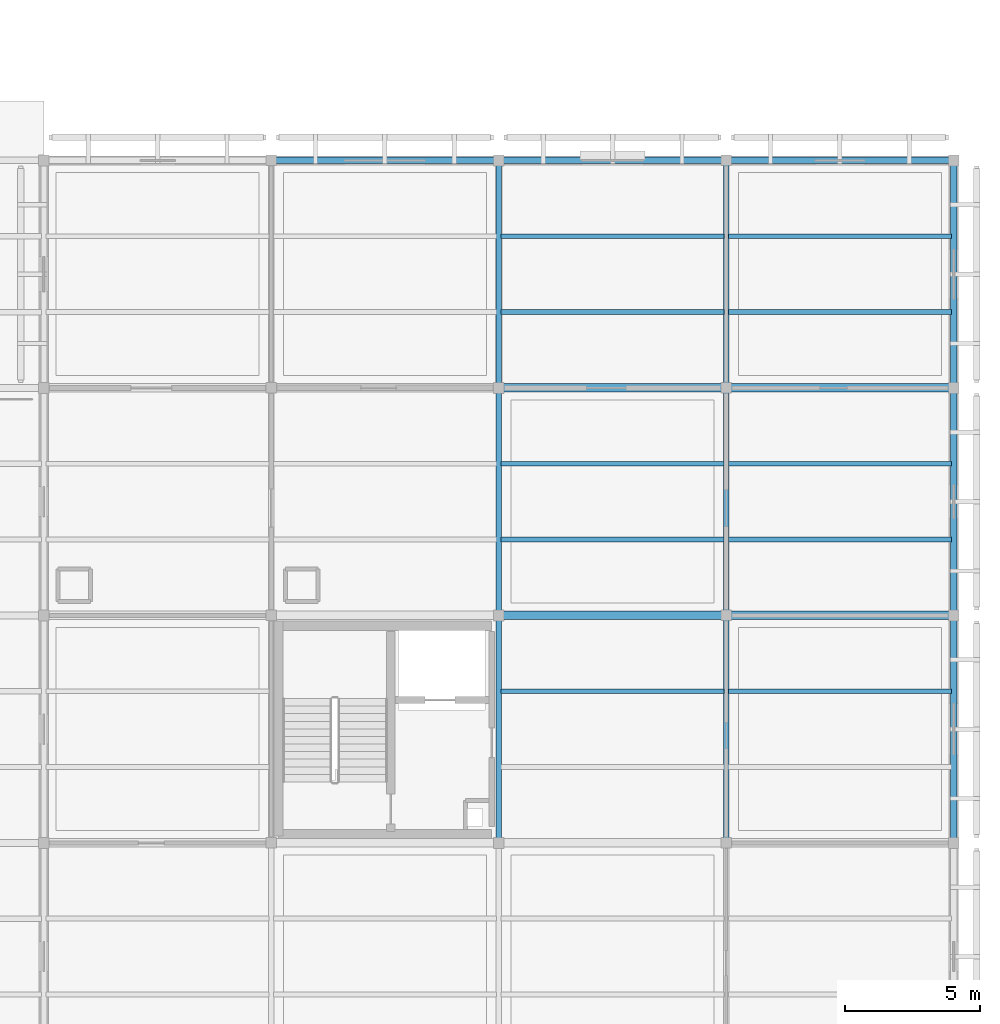
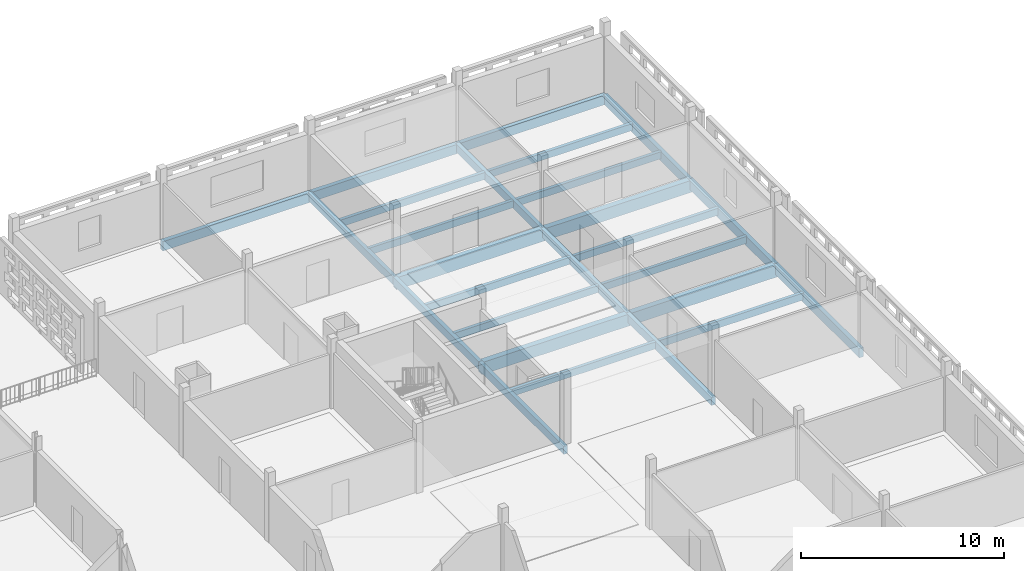
# One storey, part 69 of 140: 26 beams.
"""IFC4 building model written with IfcOpenShell, lengths in metres."""

import ifcopenshell
import ifcopenshell.guid

model = None  # the IFC model being written
_history = None  # IfcOwnerHistory: only IFC2X3 demands one
_inside = {}  # id of a spatial element -> (the spatial element, [elements in it])
_under = {}  # id of a project, library or spatial element -> (it, [spatial elements below it])
_declared = {}  # id of a project -> (the project, [libraries it declares])
_typed = {}  # id of a type object -> (the type object, [elements of that type])
_made_of = {}  # id of a material, layer set ... -> (it, [elements and type objects made of it])


def new_model(schema):
    """Start an empty IFC model of exactly this schema.

    Asked for "IFC4X3", IfcOpenShell would pick the latest addendum, in which some entities
    have other attributes; the version numbers below select the first issue.
    IFC2X3 requires an IfcOwnerHistory on every rooted entity: one is made here for all.
    """
    global model, _history
    if schema == "IFC4X3":
        model = ifcopenshell.file(schema_version=(4, 3, 0, 0))
    else:
        model = ifcopenshell.file(schema=schema)
    _inside.clear()
    _under.clear()
    _declared.clear()
    _typed.clear()
    _made_of.clear()
    _history = None
    if model.schema == "IFC2X3":
        org = make("IfcOrganization", Name="unknown")
        user = make(
            "IfcPersonAndOrganization",
            ThePerson=make("IfcPerson", FamilyName="unknown"),
            TheOrganization=org,
        )
        app = make(
            "IfcApplication",
            ApplicationDeveloper=org,
            Version="unknown",
            ApplicationFullName="unknown",
            ApplicationIdentifier="unknown",
        )
        _history = make(
            "IfcOwnerHistory",
            OwningUser=user,
            OwningApplication=app,
            ChangeAction="ADDED",
            CreationDate=0,
        )
    return model


def make(cls, **values):
    """One entity of the class cls with the attributes given. An attribute that is None is left unset."""
    return model.create_entity(
        cls, **{name: value for name, value in values.items() if value is not None}
    )


def rooted(cls, **values):
    """An entity with a GlobalId (a new one), such as an element, a storey or a relation."""
    return make(cls, GlobalId=ifcopenshell.guid.new(), OwnerHistory=_history, **values)


def si_unit(unit_type, name, prefix=None):
    """IfcSIUnit, for example si_unit("LENGTHUNIT", "METRE", prefix="MILLI")."""
    return make("IfcSIUnit", UnitType=unit_type, Prefix=prefix, Name=name)


def assignment(units):
    """IfcUnitAssignment: the units of a project."""
    return None if units is None else make("IfcUnitAssignment", Units=units)


def point(xyz):
    """IfcCartesianPoint."""
    return None if xyz is None else make("IfcCartesianPoint", Coordinates=xyz)


def direction(xyz):
    """IfcDirection."""
    return None if xyz is None else make("IfcDirection", DirectionRatios=xyz)


def frame(location, z_axis=None, x_axis=None):
    """IfcAxis2Placement3D, a coordinate frame: its origin and axes. An axis left out is left unset."""
    return make(
        "IfcAxis2Placement3D",
        Location=point(location),
        Axis=direction(z_axis),
        RefDirection=direction(x_axis),
    )


def frame_2d(location, x_axis=None):
    """IfcAxis2Placement2D, a coordinate frame in the plane: its origin and x axis."""
    return make(
        "IfcAxis2Placement2D", Location=point(location), RefDirection=direction(x_axis)
    )


def origin():
    """The frame at (0, 0, 0) with its axes left unset."""
    return frame((0.0, 0.0, 0.0))


def origin_2d():
    """The frame at (0, 0) in the plane with its x axis left unset."""
    return frame_2d((0.0, 0.0))


def place(relative_to, where):
    """IfcLocalPlacement: puts the frame where relative to a parent placement (None: the world)."""
    return make(
        "IfcLocalPlacement", PlacementRelTo=relative_to, RelativePlacement=where
    )


def context(
    kind, dimensions, precision=None, world=None, true_north=None, identifier=None
):
    """IfcGeometricRepresentationContext, for example the 3D "Model" context."""
    return make(
        "IfcGeometricRepresentationContext",
        ContextIdentifier=identifier,
        ContextType=kind,
        CoordinateSpaceDimension=dimensions,
        Precision=precision,
        WorldCoordinateSystem=world,
        TrueNorth=true_north,
    )


def subcontext(parent, identifier, kind, view, scale=None):
    """IfcGeometricRepresentationSubContext, for example "Body" below "Model"."""
    return make(
        "IfcGeometricRepresentationSubContext",
        ContextIdentifier=identifier,
        ContextType=kind,
        ParentContext=parent,
        TargetScale=scale,
        TargetView=view,
    )


def project(units=None, contexts=None):
    """IfcProject with its units and contexts."""
    return rooted(
        "IfcProject",
        Name="project",
        RepresentationContexts=contexts,
        UnitsInContext=assignment(units),
    )


def spatial(cls, under=None, at=None, **own):
    """A site, building, storey or space (cls), placed at a placement, below another one or the project."""
    s = rooted(cls, ObjectPlacement=at, **own)
    if under is not None:
        _under.setdefault(under.id(), (under, []))[1].append(s)
    return s


def profile(cls, at=None, kind="AREA", **sizes):
    """A parametric profile (cls). Its sizes go by their IFC names, for example OverallWidth=200.0."""
    return make(cls, ProfileType=kind, Position=at, **sizes)


def rectangle(**sizes):
    """IfcRectangleProfileDef."""
    return profile("IfcRectangleProfileDef", **sizes)


def extrude(swept, where, along, depth):
    """IfcExtrudedAreaSolid: the profile swept, set in the frame where, extruded along a direction by depth."""
    return make(
        "IfcExtrudedAreaSolid",
        SweptArea=swept,
        Position=where,
        ExtrudedDirection=direction(along),
        Depth=depth,
    )


def shape(context_of_items, identifier, shape_type, items):
    """IfcShapeRepresentation: the items that make up one representation, for example the "Body"."""
    return make(
        "IfcShapeRepresentation",
        ContextOfItems=context_of_items,
        RepresentationIdentifier=identifier,
        RepresentationType=shape_type,
        Items=items,
    )


def material(Name=None, Category=None):
    """IfcMaterial."""
    return make("IfcMaterial", Name=Name, Category=Category)


def material_profile(
    of_material, cross_section, Name=None, Category=None, Priority=None
):
    """IfcMaterialProfile: a cross section and its material."""
    return make(
        "IfcMaterialProfile",
        Name=Name,
        Material=of_material,
        Profile=cross_section,
        Priority=Priority,
        Category=Category,
    )


def profile_set(profiles, Name=None, composite=None):
    """IfcMaterialProfileSet."""
    return make(
        "IfcMaterialProfileSet",
        Name=Name,
        MaterialProfiles=profiles,
        CompositeProfile=composite,
    )


def made_of(thing, what):
    """Note that an element or type object is made of a material, layer set ...; save() writes the relation."""
    if what is not None:
        _made_of.setdefault(what.id(), (what, []))[1].append(thing)
    return thing


def type_object(cls, material=None, **own):
    """A type object (cls), such as IfcWallType, which elements share."""
    return made_of(rooted(cls, **own), material)


def element(
    cls,
    number,
    at=None,
    inside=None,
    cuts=None,
    type_object=None,
    material=None,
    context=None,
    identifier="Body",
    shape_type=None,
    held_by="IfcProductDefinitionShape",
    body=None,
    shapes=None,
    **own,
):
    """One element of the class cls, such as IfcWall. Its Tag is "e" and its number.

    at: its placement. inside: the storey or other place that contains it. cuts: it is an
    opening in that element (IfcRelVoidsElement). A single representation is given by context,
    identifier, shape_type and body (its items); several are given by shapes. held_by: the class
    of the entity that holds the representations. save() writes the other relations.
    """
    e = rooted(cls, Tag="e%d" % number, ObjectPlacement=at, **own)
    if body is not None:
        shapes = [shape(context, identifier, shape_type, body)]
    if shapes is not None:
        e.Representation = make(held_by, Representations=shapes)
    if inside is not None:
        _inside.setdefault(inside.id(), (inside, []))[1].append(e)
    if cuts is not None:
        rooted(
            "IfcRelVoidsElement", RelatingBuildingElement=cuts, RelatedOpeningElement=e
        )
    if type_object is not None:
        _typed.setdefault(type_object.id(), (type_object, []))[1].append(e)
    return made_of(e, material)


def aggregate(whole, parts):
    """IfcRelAggregates: a whole, such as a stair, and the parts it consists of."""
    return rooted("IfcRelAggregates", RelatingObject=whole, RelatedObjects=parts)


def save(model, path):
    """Write the relations noted so far, then the file.

    IfcRelAggregates (storeys below a building ...), IfcRelContainedInSpatialStructure (elements
    in a storey), IfcRelDefinesByType, IfcRelAssociatesMaterial and IfcRelDeclares: one each for
    every whole, place, type object, material and project.
    """
    for whole, parts in _under.values():
        aggregate(whole, parts)
    for where, things in _inside.values():
        rooted(
            "IfcRelContainedInSpatialStructure",
            RelatedElements=things,
            RelatingStructure=where,
        )
    for kind, things in _typed.values():
        rooted("IfcRelDefinesByType", RelatedObjects=things, RelatingType=kind)
    for what, things in _made_of.values():
        rooted("IfcRelAssociatesMaterial", RelatedObjects=things, RelatingMaterial=what)
    for by, libraries in _declared.values():
        rooted("IfcRelDeclares", RelatingContext=by, RelatedDefinitions=libraries)
    model.write(path)


model = new_model("IFC4")

# Units and contexts
model_context = context("Model", 3, precision=1e-05, world=origin(), true_north=direction((0.0, 1.0)))
body_context = subcontext(model_context, "Body", "Model", "MODEL_VIEW")
ifc_project = project(units=[si_unit("LENGTHUNIT", "METRE"), si_unit("AREAUNIT", "SQUARE_METRE"), si_unit("VOLUMEUNIT", "CUBIC_METRE"), si_unit("PLANEANGLEUNIT", "RADIAN"), si_unit("MASSUNIT", "GRAM", prefix="KILO")], contexts=[model_context])

# Site, building, storey
site_placement = place(None, origin())
site = spatial("IfcSite", under=ifc_project, at=site_placement, CompositionType="ELEMENT")
building_placement = place(site_placement, origin())
building = spatial("IfcBuilding", under=site, at=building_placement, Name="Varnapada Polytechnic", CompositionType="ELEMENT")
storey_placement = place(building_placement, frame((0.0, 0.0, 13.800048828125)))
storey = spatial("IfcBuildingStorey", under=building, at=storey_placement, Name="L03", CompositionType="ELEMENT", Elevation=13.800048828125)

# Beams
ifc_material = material(Name="Glulam GL32h", Category="wood")
ifc_material_profile_1 = material_profile(ifc_material, rectangle(XDim=0.320068359375, YDim=0.719970703125, at=origin_2d()), Name="GL 320x720")
ifc_profile_set_1 = profile_set([ifc_material_profile_1], Name="Glulam GL32h")
beam_type_1 = type_object("IfcBeamType", Name="Heavy library stack glulam girder GG-01 (GL 320x720)", PredefinedType="BEAM", material=ifc_profile_set_1)
for number, where, z_axis, x_axis, name in (
    (1, (159.60009765625, 100.800048828125, -0.60009765625), (1.0, 0.0, 0.0), (0.0, 1.0, 0.0), "L03 beam X 20-21 at Y13"),
    (2, (159.60009765625, 109.199951171875, -0.60009765625), (1.0, 0.0, 0.0), (0.0, 1.0, 0.0), "L03 beam X 20-21 at Y14"),
    (3, (168.0, 100.800048828125, -0.60009765625), (1.0, 0.0, 0.0), (0.0, 1.0, 0.0), "L03 beam X 21-22 at Y13"),
    (4, (168.0, 109.199951171875, -0.60009765625), (1.0, 0.0, 0.0), (0.0, 1.0, 0.0), "L03 beam X 21-22 at Y14"),
):
    element("IfcBeam", number, at=place(storey_placement, frame(where, z_axis=z_axis, x_axis=x_axis)), inside=storey, type_object=beam_type_1, Name=name, PredefinedType="BEAM", context=body_context, shape_type="SweptSolid", body=[
        extrude(rectangle(XDim=0.320068359375, YDim=0.719970703125, at=origin_2d()), origin(), (0.0, 0.0, 1.0), 8.39990234375),
    ])
ifc_material_profile_2 = material_profile(ifc_material, rectangle(XDim=0.239990234375, YDim=0.56005859375, at=origin_2d()), Name="GL 240x560")
ifc_profile_set_2 = profile_set([ifc_material_profile_2], Name="Glulam GL32h")
beam_type_2 = type_object("IfcBeamType", Name="Perimeter glulam spandrel beam SP-02 (GL 240x560)", PredefinedType="SPANDREL", material=ifc_profile_set_2)
beam_1_placement = place(storey_placement, frame((151.199951171875, 117.60009765625, -0.52001953125), z_axis=(1.0, 0.0, 0.0), x_axis=(0.0, 1.0, 0.0)))
element("IfcBeam", 5, at=beam_1_placement, inside=storey, type_object=beam_type_2, Name="L03 beam X 19-20 at Y15", PredefinedType="SPANDREL", context=body_context, shape_type="SweptSolid", body=[
    extrude(rectangle(XDim=0.239990234375, YDim=0.56005859375, at=origin_2d()), origin(), (0.0, 0.0, 1.0), 8.400146484375),
])
for number, where, z_axis, x_axis, name in (
    (6, (159.60009765625, 117.60009765625, -0.52001953125), (1.0, 0.0, 0.0), (0.0, 1.0, 0.0), "L03 beam X 20-21 at Y15"),
    (7, (168.0, 117.60009765625, -0.52001953125), (1.0, 0.0, 0.0), (0.0, 1.0, 0.0), "L03 beam X 21-22 at Y15"),
):
    element("IfcBeam", number, at=place(storey_placement, frame(where, z_axis=z_axis, x_axis=x_axis)), inside=storey, type_object=beam_type_2, Name=name, PredefinedType="SPANDREL", context=body_context, shape_type="SweptSolid", body=[
        extrude(rectangle(XDim=0.239990234375, YDim=0.56005859375, at=origin_2d()), origin(), (0.0, 0.0, 1.0), 8.39990234375),
    ])
beam_2_placement = place(storey_placement, frame((176.39990234375, 92.39990234375, -0.52001953125), z_axis=(0.0, 1.0, 0.0), x_axis=(-1.0, 0.0, 0.0)))
element("IfcBeam", 8, at=beam_2_placement, inside=storey, type_object=beam_type_2, Name="L03 beam Y 12-13 at X22", PredefinedType="SPANDREL", context=body_context, shape_type="SweptSolid", body=[
    extrude(rectangle(XDim=0.239990234375, YDim=0.56005859375, at=origin_2d()), origin(), (0.0, 0.0, 1.0), 8.400146484375),
])
beam_3_placement = place(storey_placement, frame((176.39990234375, 100.800048828125, -0.52001953125), z_axis=(0.0, 1.0, 0.0), x_axis=(-1.0, 0.0, 0.0)))
element("IfcBeam", 9, at=beam_3_placement, inside=storey, type_object=beam_type_2, Name="L03 beam Y 13-14 at X22", PredefinedType="SPANDREL", context=body_context, shape_type="SweptSolid", body=[
    extrude(rectangle(XDim=0.239990234375, YDim=0.56005859375, at=origin_2d()), origin(), (0.0, 0.0, 1.0), 8.39990234375),
])
beam_4_placement = place(storey_placement, frame((176.39990234375, 109.199951171875, -0.52001953125), z_axis=(0.0, 1.0, 0.0), x_axis=(-1.0, 0.0, 0.0)))
element("IfcBeam", 10, at=beam_4_placement, inside=storey, type_object=beam_type_2, Name="L03 beam Y 14-15 at X22", PredefinedType="SPANDREL", context=body_context, shape_type="SweptSolid", body=[
    extrude(rectangle(XDim=0.239990234375, YDim=0.56005859375, at=origin_2d()), origin(), (0.0, 0.0, 1.0), 8.400146484375),
])
ifc_material_profile_3 = material_profile(ifc_material, rectangle(XDim=0.179931640625, YDim=0.419921875, at=origin_2d()), Name="GL 180x420")
ifc_profile_set_3 = profile_set([ifc_material_profile_3], Name="Glulam GL32h")
beam_type_3 = type_object("IfcBeamType", Name="Reading hall glulam joist GJ-04 (GL 180x420)", PredefinedType="JOIST", material=ifc_profile_set_3)
for number, where, z_axis, x_axis, name in (
    (11, (159.679931640625, 98.0, -0.449951171875), (1.0, 0.0, 0.0), (0.0, 1.0, 0.0), "L03 floor joist 20/12.2"),
    (12, (159.679931640625, 103.60009765625, -0.449951171875), (1.0, 0.0, 0.0), (0.0, 1.0, 0.0), "L03 floor joist 20/13.1"),
    (13, (159.679931640625, 106.39990234375, -0.449951171875), (1.0, 0.0, 0.0), (0.0, 1.0, 0.0), "L03 floor joist 20/13.2"),
    (14, (159.679931640625, 112.0, -0.449951171875), (1.0, 0.0, 0.0), (0.0, 1.0, 0.0), "L03 floor joist 20/14.1"),
    (15, (159.679931640625, 114.800048828125, -0.449951171875), (1.0, 0.0, 0.0), (0.0, 1.0, 0.0), "L03 floor joist 20/14.2"),
    (16, (168.080078125, 98.0, -0.449951171875), (1.0, 0.0, 0.0), (0.0, 1.0, 0.0), "L03 floor joist 21/12.2"),
    (17, (168.080078125, 103.60009765625, -0.449951171875), (1.0, 0.0, 0.0), (0.0, 1.0, 0.0), "L03 floor joist 21/13.1"),
    (18, (168.080078125, 106.39990234375, -0.449951171875), (1.0, 0.0, 0.0), (0.0, 1.0, 0.0), "L03 floor joist 21/13.2"),
    (19, (168.080078125, 112.0, -0.449951171875), (1.0, 0.0, 0.0), (0.0, 1.0, 0.0), "L03 floor joist 21/14.1"),
    (20, (168.080078125, 114.800048828125, -0.449951171875), (1.0, 0.0, 0.0), (0.0, 1.0, 0.0), "L03 floor joist 21/14.2"),
):
    element("IfcBeam", number, at=place(storey_placement, frame(where, z_axis=z_axis, x_axis=x_axis)), inside=storey, type_object=beam_type_3, Name=name, PredefinedType="JOIST", context=body_context, shape_type="SweptSolid", body=[
        extrude(rectangle(XDim=0.179931640625, YDim=0.419921875, at=origin_2d()), origin(), (0.0, 0.0, 1.0), 8.239990234375),
    ])
ifc_material_profile_4 = material_profile(ifc_material, rectangle(XDim=0.219970703125, YDim=0.47998046875, at=origin_2d()), Name="GL 220x480")
ifc_profile_set_4 = profile_set([ifc_material_profile_4], Name="Glulam GL32h")
beam_type_4 = type_object("IfcBeamType", Name="Upper floor glulam tie beam GB-11 (GL 220x480)", PredefinedType="BEAM", material=ifc_profile_set_4)
beam_5_placement = place(storey_placement, frame((159.60009765625, 92.39990234375, -0.47998046875), z_axis=(0.0, 1.0, 0.0), x_axis=(-1.0, 0.0, 0.0)))
element("IfcBeam", 21, at=beam_5_placement, inside=storey, type_object=beam_type_4, Name="L03 beam Y 12-13 at X20", PredefinedType="BEAM", context=body_context, shape_type="SweptSolid", body=[
    extrude(rectangle(XDim=0.219970703125, YDim=0.47998046875, at=origin_2d()), origin(), (0.0, 0.0, 1.0), 8.400146484375),
])
beam_6_placement = place(storey_placement, frame((159.60009765625, 100.800048828125, -0.47998046875), z_axis=(0.0, 1.0, 0.0), x_axis=(-1.0, 0.0, 0.0)))
element("IfcBeam", 22, at=beam_6_placement, inside=storey, type_object=beam_type_4, Name="L03 beam Y 13-14 at X20", PredefinedType="BEAM", context=body_context, shape_type="SweptSolid", body=[
    extrude(rectangle(XDim=0.219970703125, YDim=0.47998046875, at=origin_2d()), origin(), (0.0, 0.0, 1.0), 8.39990234375),
])
for number, where, z_axis, x_axis, name in (
    (23, (159.60009765625, 109.199951171875, -0.47998046875), (0.0, 1.0, 0.0), (-1.0, 0.0, 0.0), "L03 beam Y 14-15 at X20"),
    (24, (168.0, 92.39990234375, -0.47998046875), (0.0, 1.0, 0.0), (-1.0, 0.0, 0.0), "L03 beam Y 12-13 at X21"),
):
    element("IfcBeam", number, at=place(storey_placement, frame(where, z_axis=z_axis, x_axis=x_axis)), inside=storey, type_object=beam_type_4, Name=name, PredefinedType="BEAM", context=body_context, shape_type="SweptSolid", body=[
        extrude(rectangle(XDim=0.219970703125, YDim=0.47998046875, at=origin_2d()), origin(), (0.0, 0.0, 1.0), 8.400146484375),
    ])
beam_7_placement = place(storey_placement, frame((168.0, 100.800048828125, -0.47998046875), z_axis=(0.0, 1.0, 0.0), x_axis=(-1.0, 0.0, 0.0)))
element("IfcBeam", 25, at=beam_7_placement, inside=storey, type_object=beam_type_4, Name="L03 beam Y 13-14 at X21", PredefinedType="BEAM", context=body_context, shape_type="SweptSolid", body=[
    extrude(rectangle(XDim=0.219970703125, YDim=0.47998046875, at=origin_2d()), origin(), (0.0, 0.0, 1.0), 8.39990234375),
])
beam_8_placement = place(storey_placement, frame((168.0, 109.199951171875, -0.47998046875), z_axis=(0.0, 1.0, 0.0), x_axis=(-1.0, 0.0, 0.0)))
element("IfcBeam", 26, at=beam_8_placement, inside=storey, type_object=beam_type_4, Name="L03 beam Y 14-15 at X21", PredefinedType="BEAM", context=body_context, shape_type="SweptSolid", body=[
    extrude(rectangle(XDim=0.219970703125, YDim=0.47998046875, at=origin_2d()), origin(), (0.0, 0.0, 1.0), 8.400146484375),
])

save(model, "model.ifc")
